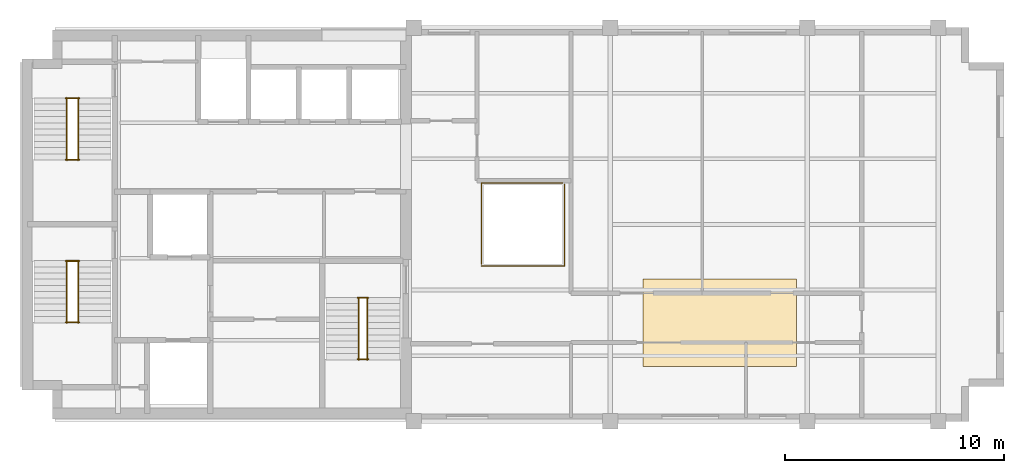
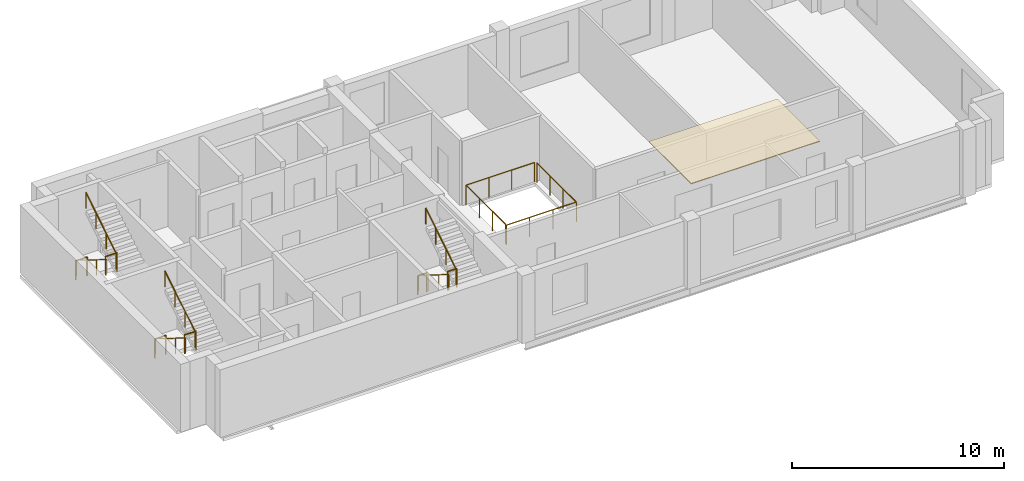
# One storey, part 5 of 5: 14 railings, 1 covering.
"""IFC4 building model written with IfcOpenShell, lengths in metres."""

from ifc_helpers import new_model, si_unit, direction, frame, origin, origin_2d, place, context, subcontext, project, spatial, polyline, circle, outline, extrude, material, layer, layer_set, type_object, element, save


model = new_model("IFC4")

# Units and contexts
model_context = context("Model", 3, precision=1e-05, world=origin(), true_north=direction((0.0, 1.0)))
body_context = subcontext(model_context, "Body", "Model", "MODEL_VIEW")
ifc_project = project(units=[si_unit("LENGTHUNIT", "METRE"), si_unit("AREAUNIT", "SQUARE_METRE"), si_unit("VOLUMEUNIT", "CUBIC_METRE"), si_unit("PLANEANGLEUNIT", "RADIAN"), si_unit("MASSUNIT", "GRAM", prefix="KILO")], contexts=[model_context])

# Site, building, storey
site_placement = place(None, origin())
site = spatial("IfcSite", under=ifc_project, at=site_placement, CompositionType="ELEMENT")
building_placement = place(site_placement, origin())
building = spatial("IfcBuilding", under=site, at=building_placement, Name="Mawjdan Bourse Tower", CompositionType="ELEMENT")
storey_placement = place(building_placement, frame((0.0, 0.0, 289.800048828125)))
storey = spatial("IfcBuildingStorey", under=building, at=storey_placement, Name="L71", CompositionType="ELEMENT", Elevation=289.800048828125)

# Covering
ifc_material_1 = material(Name="Perforated Mineral-Fibre Acoustic Ceiling")
ifc_layer = layer(ifc_material_1, 0.044921875)
ifc_layer_set = layer_set([ifc_layer], Name="Perforated Mineral-Fibre Acoustic Ceiling")
covering_type = type_object("IfcCoveringType", Name="COV-CLG-AC", PredefinedType="CEILING", material=ifc_layer_set)
covering_placement = place(storey_placement, frame((0.0, 0.0, 3.669921875)))
element("IfcCovering", 1, at=covering_placement, inside=storey, type_object=covering_type, Name="L71 Suspended Acoustic Ceiling", PredefinedType="CEILING", context=body_context, shape_type="SweptSolid", body=[
    extrude(outline(polyline([(34.5, 5.5), (41.5, 5.5), (41.5, 9.5), (34.5, 9.5), (34.5, 5.5)])), origin(), (0.0, 0.0, 1.0), 0.044921875),
])

# Railings
ifc_material_2 = material(Name="Stainless Steel and Laminated Glass", Category="steel")
railing_type_1 = type_object("IfcRailingType", Name="RLG-BAL-1150", PredefinedType="BALUSTRADE", material=ifc_material_2)
railing_1_placement = place(storey_placement, frame((27.10009765625, 10.10009765625, 0.0)))
element("IfcRailing", 2, at=railing_1_placement, inside=storey, type_object=railing_type_1, Name="L71 Summit Atrium Lightwell Balustrade SE", PredefinedType="BALUSTRADE", context=body_context, shape_type="SweptSolid", body=[
    extrude(circle(Radius=0.02685546875, at=origin_2d()), frame((0.0, 0.0, 1.123046875), z_axis=(1.0, 0.0, 0.0), x_axis=(0.0, 1.0, 0.0)), (0.0, 0.0, 1.0), 3.7998046875),
    extrude(circle(Radius=0.02685546875, at=origin_2d()), frame((3.7998046875, 0.0, 1.123046875), z_axis=(0.0, 1.0, 0.0), x_axis=(-1.0, 0.0, 0.0)), (0.0, 0.0, 1.0), 3.719970703125),
    extrude(circle(Radius=0.02294921875, at=origin_2d()), origin(), (0.0, 0.0, 1.0), 1.095947265625),
    extrude(circle(Radius=0.02294921875, at=origin_2d()), frame((1.2666015625, 0.0, 0.0)), (0.0, 0.0, 1.0), 1.095947265625),
    extrude(circle(Radius=0.02294921875, at=origin_2d()), frame((2.533203125, 0.0, 0.0)), (0.0, 0.0, 1.0), 1.095947265625),
    extrude(circle(Radius=0.02294921875, at=origin_2d()), frame((3.7998046875, 0.0, 0.0)), (0.0, 0.0, 1.0), 1.095947265625),
    extrude(circle(Radius=0.02294921875, at=origin_2d()), frame((3.7998046875, 1.239990234375, 0.0)), (0.0, 0.0, 1.0), 1.095947265625),
    extrude(circle(Radius=0.02294921875, at=origin_2d()), frame((3.7998046875, 2.47998046875, 0.0)), (0.0, 0.0, 1.0), 1.095947265625),
    extrude(circle(Radius=0.02294921875, at=origin_2d()), frame((3.7998046875, 3.719970703125, 0.0)), (0.0, 0.0, 1.0), 1.095947265625),
])
railing_2_placement = place(storey_placement, frame((30.820068359375, 13.89990234375, 0.0)))
element("IfcRailing", 3, at=railing_2_placement, inside=storey, type_object=railing_type_1, Name="L71 Summit Atrium Lightwell Balustrade NW", PredefinedType="BALUSTRADE", context=body_context, shape_type="SweptSolid", body=[
    extrude(circle(Radius=0.02685546875, at=origin_2d()), frame((0.0, 0.0, 1.123046875), z_axis=(-1.0, 0.0, 0.0), x_axis=(0.0, -1.0, 0.0)), (0.0, 0.0, 1.0), 3.719970703125),
    extrude(circle(Radius=0.02685546875, at=origin_2d()), frame((-3.719970703125, 0.0, 1.123046875), z_axis=(0.0, -1.0, 0.0), x_axis=(1.0, 0.0, 0.0)), (0.0, 0.0, 1.0), 3.719970703125),
    extrude(circle(Radius=0.02294921875, at=origin_2d()), origin(), (0.0, 0.0, 1.0), 1.095947265625),
    extrude(circle(Radius=0.02294921875, at=origin_2d()), frame((-1.239990234375, 0.0, 0.0)), (0.0, 0.0, 1.0), 1.095947265625),
    extrude(circle(Radius=0.02294921875, at=origin_2d()), frame((-2.47998046875, 0.0, 0.0)), (0.0, 0.0, 1.0), 1.095947265625),
    extrude(circle(Radius=0.02294921875, at=origin_2d()), frame((-3.719970703125, 0.0, 0.0)), (0.0, 0.0, 1.0), 1.095947265625),
    extrude(circle(Radius=0.02294921875, at=origin_2d()), frame((-3.719970703125, -1.239990234375, 0.0)), (0.0, 0.0, 1.0), 1.095947265625),
    extrude(circle(Radius=0.02294921875, at=origin_2d()), frame((-3.719970703125, -2.47998046875, 0.0)), (0.0, 0.0, 1.0), 1.095947265625),
    extrude(circle(Radius=0.02294921875, at=origin_2d()), frame((-3.719970703125, -3.719970703125, 0.0)), (0.0, 0.0, 1.0), 1.095947265625),
])
ifc_material_3 = material(Name="Structural Steel S355", Category="steel")
railing_type_2 = type_object("IfcRailingType", Name="RLG-GRD-1100", PredefinedType="GUARDRAIL", material=ifc_material_3)
for number, where, name in (
    (4, (8.090087890625, 7.52001953125, 1.949951171875), "L71 ST1 Landing Guardrail GL-MID"),
    (5, (8.090087890625, 10.330078125, 0.0), "L71 ST1 Landing Guardrail GL-BOT"),
    (6, (8.090087890625, 14.9599609375, 1.949951171875), "L71 ST2 Landing Guardrail GL-MID"),
    (7, (8.090087890625, 17.77001953125, 0.0), "L71 ST2 Landing Guardrail GL-BOT"),
):
    element("IfcRailing", number, at=place(storey_placement, frame(where)), inside=storey, type_object=railing_type_2, Name=name, PredefinedType="GUARDRAIL", context=body_context, shape_type="SweptSolid", body=[
        extrude(circle(Radius=0.02490234375, at=origin_2d()), frame((0.0, 0.0, 1.0751953125), z_axis=(1.0, 0.0, 0.0), x_axis=(0.0, 1.0, 0.0)), (0.0, 0.0, 1.0), 0.619873046875),
        extrude(circle(Radius=0.02099609375, at=origin_2d()), origin(), (0.0, 0.0, 1.0), 1.050048828125),
        extrude(circle(Radius=0.02099609375, at=origin_2d()), frame((0.619873046875, 0.0, 0.0)), (0.0, 0.0, 1.0), 1.050048828125),
    ])
for number, where, name in (
    (8, (21.43994140625, 5.830078125, 1.949951171875), "L71 ST7 Landing Guardrail GL-MID"),
    (9, (21.43994140625, 8.639892578125, 0.0), "L71 ST7 Landing Guardrail GL-BOT"),
):
    element("IfcRailing", number, at=place(storey_placement, frame(where)), inside=storey, type_object=railing_type_2, Name=name, PredefinedType="GUARDRAIL", context=body_context, shape_type="SweptSolid", body=[
        extrude(circle(Radius=0.02490234375, at=origin_2d()), frame((0.0, 0.0, 1.0751953125), z_axis=(1.0, 0.0, 0.0), x_axis=(0.0, 1.0, 0.0)), (0.0, 0.0, 1.0), 0.489990234375),
        extrude(circle(Radius=0.02099609375, at=origin_2d()), origin(), (0.0, 0.0, 1.0), 1.050048828125),
        extrude(circle(Radius=0.02099609375, at=origin_2d()), frame((0.489990234375, 0.0, 0.0)), (0.0, 0.0, 1.0), 1.050048828125),
    ])
ifc_material_4 = material(Name="Brushed Stainless Steel", Category="steel")
railing_type_3 = type_object("IfcRailingType", Name="RLG-HND-920", PredefinedType="HANDRAIL", material=ifc_material_4)
railing_3_placement = place(storey_placement, frame((8.139892578125, 10.35009765625, 0.17724609375)))
element("IfcRailing", 10, at=railing_3_placement, inside=storey, type_object=railing_type_3, Name="L71 ST1 Flight Handrail HR1", PredefinedType="HANDRAIL", context=body_context, shape_type="SweptSolid", body=[
    extrude(circle(Radius=0.0224609375, at=origin_2d()), frame((0.0, 0.0, 0.8974609375), z_axis=(0.0, -0.849148672731, 0.528153890072), x_axis=(1.0, 0.0, 0.0)), (0.0, 0.0, 1.0), 3.3564453125),
    extrude(circle(Radius=0.01904296875, at=origin_2d()), origin(), (0.0, 0.0, 1.0), 0.875),
    extrude(circle(Radius=0.01904296875, at=origin_2d()), frame((0.0, -0.949951171875, 0.5908203125)), (0.0, 0.0, 1.0), 0.875),
    extrude(circle(Radius=0.01904296875, at=origin_2d()), frame((0.0, -1.900146484375, 1.181884765625)), (0.0, 0.0, 1.0), 0.875),
    extrude(circle(Radius=0.01904296875, at=origin_2d()), frame((0.0, -2.85009765625, 1.772705078125)), (0.0, 0.0, 1.0), 0.875),
])
railing_4_placement = place(storey_placement, frame((8.659912109375, 7.5, 2.127197265625)))
element("IfcRailing", 11, at=railing_4_placement, inside=storey, type_object=railing_type_3, Name="L71 ST1 Flight Handrail HR2", PredefinedType="HANDRAIL", context=body_context, shape_type="SweptSolid", body=[
    extrude(circle(Radius=0.0224609375, at=origin_2d()), frame((0.0, 0.0, 0.8974609375), z_axis=(0.0, 0.849148672731, 0.528153890072), x_axis=(-1.0, 0.0, 0.0)), (0.0, 0.0, 1.0), 3.3564453125),
    extrude(circle(Radius=0.01904296875, at=origin_2d()), origin(), (0.0, 0.0, 1.0), 0.875),
    extrude(circle(Radius=0.01904296875, at=origin_2d()), frame((0.0, 0.949951171875, 0.5908203125)), (0.0, 0.0, 1.0), 0.875),
    extrude(circle(Radius=0.01904296875, at=origin_2d()), frame((0.0, 1.900146484375, 1.181884765625)), (0.0, 0.0, 1.0), 0.875),
    extrude(circle(Radius=0.01904296875, at=origin_2d()), frame((0.0, 2.85009765625, 1.772705078125)), (0.0, 0.0, 1.0), 0.875),
])
railing_5_placement = place(storey_placement, frame((8.139892578125, 17.7900390625, 0.17724609375)))
element("IfcRailing", 12, at=railing_5_placement, inside=storey, type_object=railing_type_3, Name="L71 ST2 Flight Handrail HR1", PredefinedType="HANDRAIL", context=body_context, shape_type="SweptSolid", body=[
    extrude(circle(Radius=0.0224609375, at=origin_2d()), frame((0.0, 0.0, 0.8974609375), z_axis=(0.0, -0.849148672731, 0.528153890072), x_axis=(1.0, 0.0, 0.0)), (0.0, 0.0, 1.0), 3.3564453125),
    extrude(circle(Radius=0.01904296875, at=origin_2d()), origin(), (0.0, 0.0, 1.0), 0.875),
    extrude(circle(Radius=0.01904296875, at=origin_2d()), frame((0.0, -0.949951171875, 0.5908203125)), (0.0, 0.0, 1.0), 0.875),
    extrude(circle(Radius=0.01904296875, at=origin_2d()), frame((0.0, -1.900146484375, 1.181884765625)), (0.0, 0.0, 1.0), 0.875),
    extrude(circle(Radius=0.01904296875, at=origin_2d()), frame((0.0, -2.85009765625, 1.772705078125)), (0.0, 0.0, 1.0), 0.875),
])
railing_6_placement = place(storey_placement, frame((8.659912109375, 14.93994140625, 2.127197265625)))
element("IfcRailing", 13, at=railing_6_placement, inside=storey, type_object=railing_type_3, Name="L71 ST2 Flight Handrail HR2", PredefinedType="HANDRAIL", context=body_context, shape_type="SweptSolid", body=[
    extrude(circle(Radius=0.0224609375, at=origin_2d()), frame((0.0, 0.0, 0.8974609375), z_axis=(0.0, 0.849148672731, 0.528153890072), x_axis=(-1.0, 0.0, 0.0)), (0.0, 0.0, 1.0), 3.3564453125),
    extrude(circle(Radius=0.01904296875, at=origin_2d()), origin(), (0.0, 0.0, 1.0), 0.875),
    extrude(circle(Radius=0.01904296875, at=origin_2d()), frame((0.0, 0.949951171875, 0.5908203125)), (0.0, 0.0, 1.0), 0.875),
    extrude(circle(Radius=0.01904296875, at=origin_2d()), frame((0.0, 1.900146484375, 1.181884765625)), (0.0, 0.0, 1.0), 0.875),
    extrude(circle(Radius=0.01904296875, at=origin_2d()), frame((0.0, 2.85009765625, 1.772705078125)), (0.0, 0.0, 1.0), 0.875),
])
railing_7_placement = place(storey_placement, frame((21.489990234375, 8.659912109375, 0.17724609375)))
element("IfcRailing", 14, at=railing_7_placement, inside=storey, type_object=railing_type_3, Name="L71 ST7 Flight Handrail HR1", PredefinedType="HANDRAIL", context=body_context, shape_type="SweptSolid", body=[
    extrude(circle(Radius=0.0224609375, at=origin_2d()), frame((0.0, 0.0, 0.8974609375), z_axis=(0.0, -0.849128380713, 0.528186513523), x_axis=(1.0, 0.0, 0.0)), (0.0, 0.0, 1.0), 3.356201171875),
    extrude(circle(Radius=0.01904296875, at=origin_2d()), origin(), (0.0, 0.0, 1.0), 0.875),
    extrude(circle(Radius=0.01904296875, at=origin_2d()), frame((0.0, -0.949951171875, 0.5908203125)), (0.0, 0.0, 1.0), 0.875),
    extrude(circle(Radius=0.01904296875, at=origin_2d()), frame((0.0, -1.89990234375, 1.181884765625)), (0.0, 0.0, 1.0), 0.875),
    extrude(circle(Radius=0.01904296875, at=origin_2d()), frame((0.0, -2.849853515625, 1.772705078125)), (0.0, 0.0, 1.0), 0.875),
])
railing_8_placement = place(storey_placement, frame((21.8798828125, 5.81005859375, 2.127197265625)))
element("IfcRailing", 15, at=railing_8_placement, inside=storey, type_object=railing_type_3, Name="L71 ST7 Flight Handrail HR2", PredefinedType="HANDRAIL", context=body_context, shape_type="SweptSolid", body=[
    extrude(circle(Radius=0.0224609375, at=origin_2d()), frame((0.0, 0.0, 0.8974609375), z_axis=(0.0, 0.849128380713, 0.528186513523), x_axis=(-1.0, 0.0, 0.0)), (0.0, 0.0, 1.0), 3.356201171875),
    extrude(circle(Radius=0.01904296875, at=origin_2d()), origin(), (0.0, 0.0, 1.0), 0.875),
    extrude(circle(Radius=0.01904296875, at=origin_2d()), frame((0.0, 0.949951171875, 0.5908203125)), (0.0, 0.0, 1.0), 0.875),
    extrude(circle(Radius=0.01904296875, at=origin_2d()), frame((0.0, 1.89990234375, 1.181884765625)), (0.0, 0.0, 1.0), 0.875),
    extrude(circle(Radius=0.01904296875, at=origin_2d()), frame((0.0, 2.849853515625, 1.772705078125)), (0.0, 0.0, 1.0), 0.875),
])

save(model, "model.ifc")
